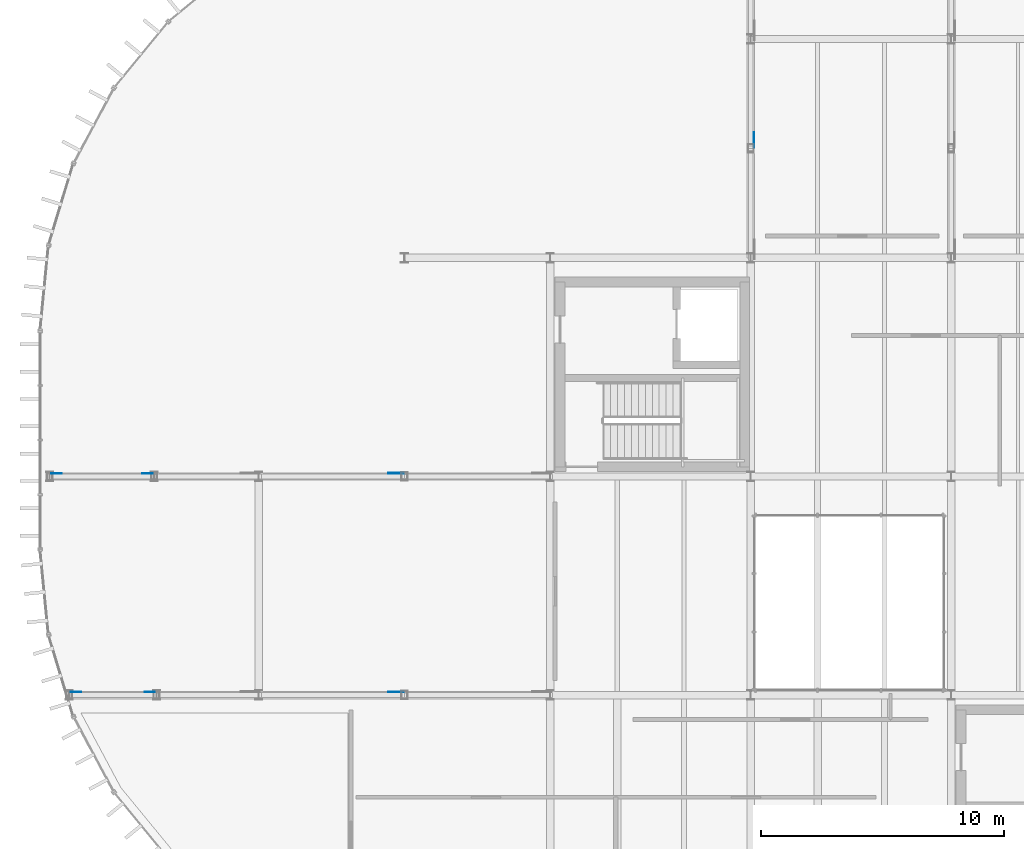
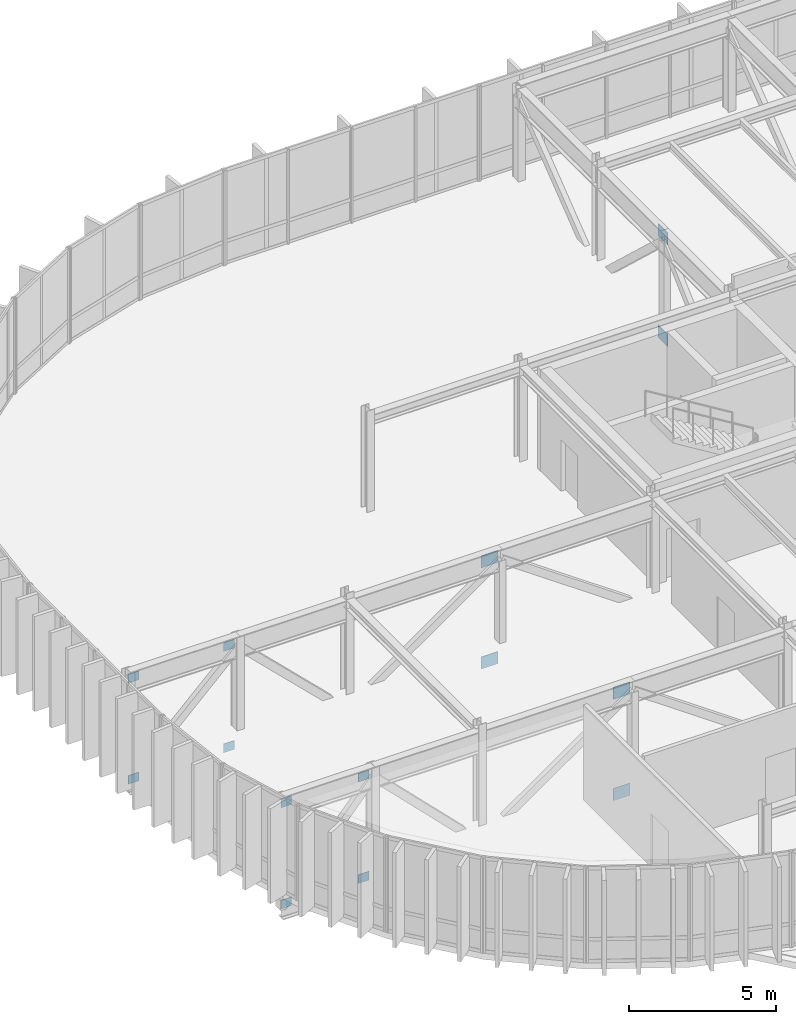
# One storey, part 20 of 29: 14 plates.
"""IFC4 building model written with IfcOpenShell, lengths in metres."""

from ifc_helpers import new_model, si_unit, direction, frame, origin, origin_2d, place, context, subcontext, project, spatial, rectangle, extrude, material, layer, layer_set, type_object, element, save


model = new_model("IFC4")

# Units and contexts
model_context = context("Model", 3, precision=1e-05, world=origin(), true_north=direction((0.0, 1.0)))
body_context = subcontext(model_context, "Body", "Model", "MODEL_VIEW")
ifc_project = project(units=[si_unit("LENGTHUNIT", "METRE"), si_unit("AREAUNIT", "SQUARE_METRE"), si_unit("VOLUMEUNIT", "CUBIC_METRE"), si_unit("PLANEANGLEUNIT", "RADIAN"), si_unit("MASSUNIT", "GRAM", prefix="KILO")], contexts=[model_context])

# Site, building, storey
site_placement = place(None, origin())
site = spatial("IfcSite", under=ifc_project, at=site_placement, CompositionType="ELEMENT")
building_placement = place(site_placement, origin())
building = spatial("IfcBuilding", under=site, at=building_placement, Name="Montealbar Specialist Clinic", CompositionType="ELEMENT")
storey_placement = place(building_placement, frame((0.0, 0.0, 22.199951171875)))
storey = spatial("IfcBuildingStorey", under=building, at=storey_placement, Name="L05", CompositionType="ELEMENT", Elevation=22.199951171875)

# Plates
ifc_material = material(Name="Steel S355", Category="steel")
ifc_layer_1 = layer(ifc_material, 0.02001953125, Name="Steel S355", Category="steel")
ifc_layer_set_1 = layer_set([ifc_layer_1], Name="Steel S355")
plate_type_1 = type_object("IfcPlateType", Name="PL-GUSSET-20", PredefinedType="SHEET", material=ifc_layer_set_1)
for number, where, z_axis, x_axis, name in (
    (1, (49.419921875, 27.1298828125, -0.97021484375), (0.0, 0.0, 1.0), (1.0, 0.0, 0.0), "Truss node gusset plate GN-TT-W1-3B"),
    (2, (49.419921875, 27.1298828125, 3.22998046875), (0.0, 0.0, 1.0), (1.0, 0.0, 0.0), "Truss node gusset plate GN-TT-W1-3T"),
    (3, (45.679931640625, 27.1298828125, -0.97021484375), (0.0, 0.0, 1.0), (1.0, 0.0, 0.0), "Truss node gusset plate GN-TT-W1-4B"),
    (4, (45.679931640625, 27.1298828125, 3.22998046875), (0.0, 0.0, 1.0), (1.0, 0.0, 0.0), "Truss node gusset plate GN-TT-W1-4T"),
    (5, (49.52001953125, 18.1298828125, -0.97021484375), (0.0, 0.0, 1.0), (1.0, 0.0, 0.0), "Truss node gusset plate GN-TT-W2-3B"),
    (6, (49.52001953125, 18.1298828125, 3.22998046875), (0.0, 0.0, 1.0), (1.0, 0.0, 0.0), "Truss node gusset plate GN-TT-W2-3T"),
    (7, (46.47998046875, 18.1298828125, -0.97021484375), (0.0, 0.0, 1.0), (1.0, 0.0, 0.0), "Truss node gusset plate GN-TT-W2-4B"),
    (8, (46.47998046875, 18.1298828125, 3.22998046875), (0.0, 0.0, 1.0), (1.0, 0.0, 0.0), "Truss node gusset plate GN-TT-W2-4T"),
):
    element("IfcPlate", number, at=place(storey_placement, frame(where, z_axis=z_axis, x_axis=x_axis)), inside=storey, type_object=plate_type_1, Name=name, PredefinedType="SHEET", context=body_context, shape_type="SweptSolid", body=[
        extrude(rectangle(XDim=0.419921875, YDim=0.02001953125, at=origin_2d()), origin(), (0.0, 0.0, 1.0), 0.360107421875),
    ])
ifc_layer_2 = layer(ifc_material, 0.02490234375, Name="Steel S355", Category="steel")
ifc_layer_set_2 = layer_set([ifc_layer_2], Name="Steel S355")
plate_type_2 = type_object("IfcPlateType", Name="PL-GUSSET-25", PredefinedType="SHEET", material=ifc_layer_set_2)
for number, where, z_axis, x_axis, name in (
    (9, (59.64990234375, 27.133056640625, -1.0400390625), (0.0, 0.0, 1.0), (1.0, 0.0, 0.0), "Truss node gusset plate GN-TT-W1-1B"),
    (10, (59.64990234375, 27.133056640625, 3.16015625), (0.0, 0.0, 1.0), (1.0, 0.0, 0.0), "Truss node gusset plate GN-TT-W1-1T"),
    (11, (59.64990234375, 18.133056640625, -1.0400390625), (0.0, 0.0, 1.0), (1.0, 0.0, 0.0), "Truss node gusset plate GN-TT-W2-1B"),
    (12, (59.64990234375, 18.133056640625, 3.16015625), (0.0, 0.0, 1.0), (1.0, 0.0, 0.0), "Truss node gusset plate GN-TT-W2-1T"),
    (13, (74.383056640625, 40.85009765625, -1.0400390625), (0.0, 0.0, 1.0), (0.0, 1.0, 0.0), "Truss node gusset plate GN-TT-N2-1B"),
    (14, (74.383056640625, 40.85009765625, 3.16015625), (0.0, 0.0, 1.0), (0.0, 1.0, 0.0), "Truss node gusset plate GN-TT-N2-1T"),
):
    element("IfcPlate", number, at=place(storey_placement, frame(where, z_axis=z_axis, x_axis=x_axis)), inside=storey, type_object=plate_type_2, Name=name, PredefinedType="SHEET", context=body_context, shape_type="SweptSolid", body=[
        extrude(rectangle(XDim=0.64990234375, YDim=0.02490234375, at=origin_2d()), origin(), (0.0, 0.0, 1.0), 0.5),
    ])

save(model, "model.ifc")
